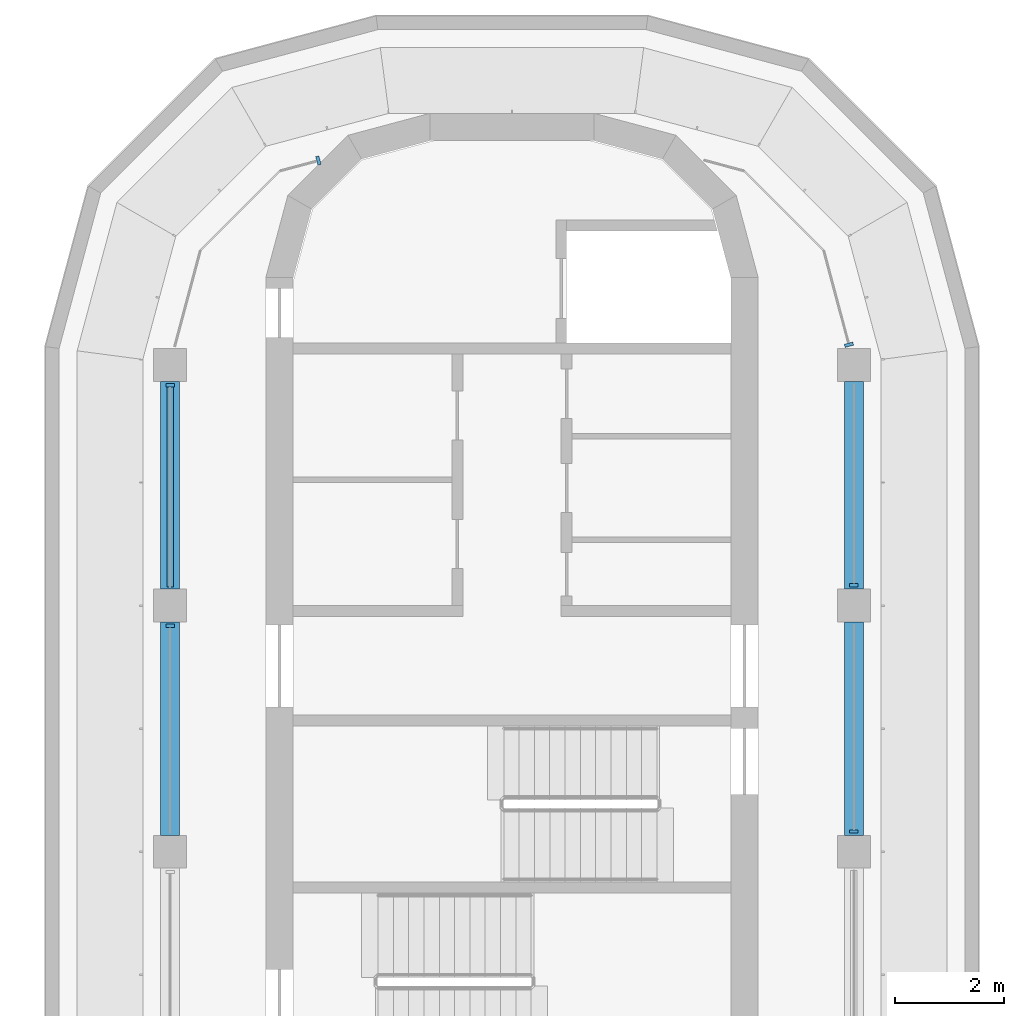
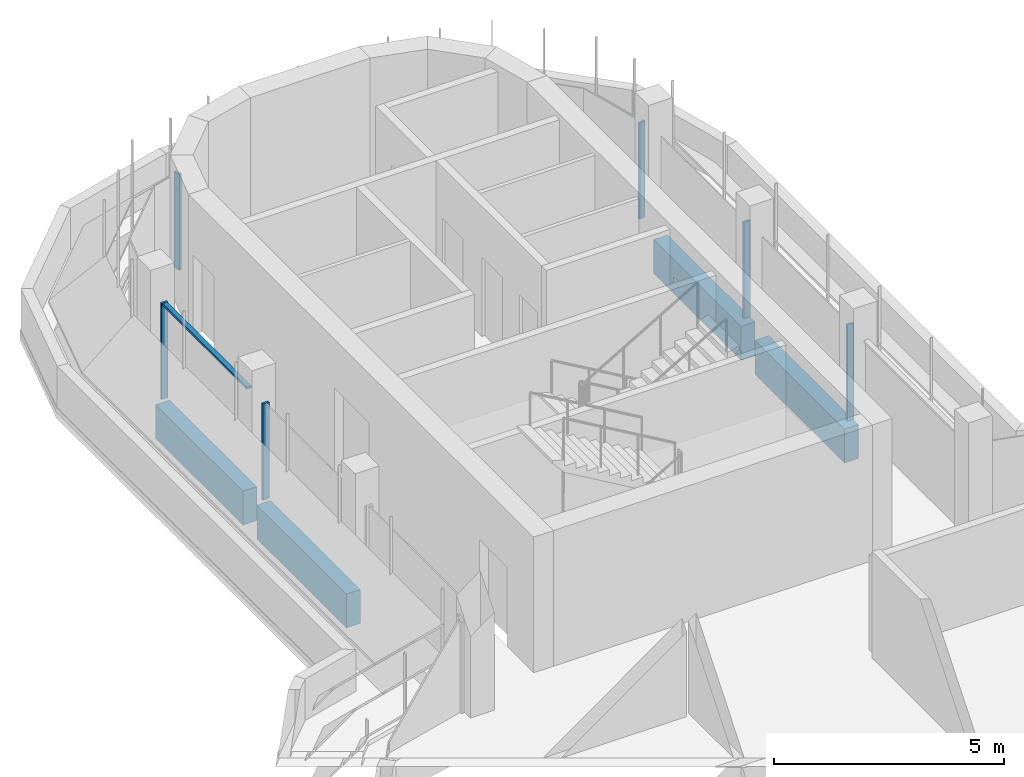
# One storey, part 4 of 13: 7 members, 4 beams, 4 elements without a shape of their own.
"""IFC4 building model written with IfcOpenShell, lengths in metres."""

from ifc_helpers import new_model, si_unit, direction, frame, origin, origin_2d, place, context, subcontext, project, spatial, polyline, rectangle, outline, extrude, source, transform, mapped, material, material_profile, profile_set, type_object, element, aggregate, save


model = new_model("IFC4")

# Units and contexts
model_context = context("Model", 3, precision=1e-05, world=origin(), true_north=direction((0.0, 1.0)))
body_context = subcontext(model_context, "Body", "Model", "MODEL_VIEW")
ifc_project = project(units=[si_unit("LENGTHUNIT", "METRE"), si_unit("AREAUNIT", "SQUARE_METRE"), si_unit("VOLUMEUNIT", "CUBIC_METRE"), si_unit("PLANEANGLEUNIT", "RADIAN"), si_unit("MASSUNIT", "GRAM", prefix="KILO")], contexts=[model_context])

# Site, building, storey
site_placement = place(None, origin())
site = spatial("IfcSite", under=ifc_project, at=site_placement, CompositionType="ELEMENT")
building_placement = place(site_placement, origin())
building = spatial("IfcBuilding", under=site, at=building_placement, Name="Zarbagh Exchange Tower", CompositionType="ELEMENT")
storey_placement = place(building_placement, frame((0.0, 0.0, 302.39990234375)))
storey = spatial("IfcBuildingStorey", under=building, at=storey_placement, Name="L74", CompositionType="ELEMENT", Elevation=302.39990234375)

# Beams
ifc_material_1 = material(Name="Concrete C40/50", Category="concrete")
ifc_material_profile = material_profile(ifc_material_1, rectangle(XDim=0.35009765625, YDim=0.89990234375, at=origin_2d()), Name="RC spandrel beam 350 x 900 C40/50")
ifc_profile_set = profile_set([ifc_material_profile], Name="Concrete C40/50")
beam_type = type_object("IfcBeamType", Name="RC spandrel beam 350 x 900 C40/50", PredefinedType="SPANDREL", material=ifc_profile_set)
beam_1_placement = place(storey_placement, frame((-6.25, 16.050048828125, -0.599853515625), z_axis=(0.0, 1.0, 0.0), x_axis=(-1.0, 0.0, 0.0)))
element("IfcBeam", 1, at=beam_1_placement, inside=storey, type_object=beam_type, Name="RC spandrel beam", PredefinedType="SPANDREL", context=body_context, shape_type="SweptSolid", body=[
    extrude(rectangle(XDim=0.35009765625, YDim=0.89990234375, at=origin_2d()), origin(), (0.0, 0.0, 1.0), 3.89990234375),
])
for number, where, z_axis, x_axis, name in (
    (2, (-6.25, 20.550048828125, -0.599853515625), (0.0, 1.0, 0.0), (-1.0, 0.0, 0.0), "RC spandrel beam"),
    (3, (6.25, 24.35009765625, -0.599853515625), (0.0, -1.0, 0.0), (1.0, 0.0, 0.0), "RC spandrel beam"),
):
    element("IfcBeam", number, at=place(storey_placement, frame(where, z_axis=z_axis, x_axis=x_axis)), inside=storey, type_object=beam_type, Name=name, PredefinedType="SPANDREL", context=body_context, shape_type="SweptSolid", body=[
        extrude(rectangle(XDim=0.35009765625, YDim=0.89990234375, at=origin_2d()), origin(), (0.0, 0.0, 1.0), 3.800048828125),
    ])
beam_2_placement = place(storey_placement, frame((6.25, 19.949951171875, -0.599853515625), z_axis=(0.0, -1.0, 0.0), x_axis=(1.0, 0.0, 0.0)))
element("IfcBeam", 4, at=beam_2_placement, inside=storey, type_object=beam_type, Name="RC spandrel beam", PredefinedType="SPANDREL", context=body_context, shape_type="SweptSolid", body=[
    extrude(rectangle(XDim=0.35009765625, YDim=0.89990234375, at=origin_2d()), origin(), (0.0, 0.0, 1.0), 3.89990234375),
])

# Curtain wall, member
ifc_material_2 = material(Name="Anodised aluminium frame and glazing", Category="aluminium")
curtain_wall_type = type_object("IfcCurtainWallType", Name="CWF Crown tier glazing", PredefinedType="NOTDEFINED", material=ifc_material_2)
curtain_wall_1_placement = place(storey_placement, origin())
curtain_wall_1 = element("IfcCurtainWall", 5, at=curtain_wall_1_placement, inside=storey, type_object=curtain_wall_type, Name="CWF27 curtain wall", PredefinedType="NOTDEFINED")
ifc_material_3 = material(Name="Anodised aluminium frame", Category="aluminium")
member_type_1 = type_object("IfcMemberType", Name="TRF Transom, anodised aluminium frame", PredefinedType="USERDEFINED", material=ifc_material_3)
shared_shape_1 = source(origin(), body_context, "Body", "SweptSolid", [
    extrude(outline(polyline([(-0.06005859375, -0.06005859375), (0.0, -0.06005859375), (0.0, 0.06005859375), (-0.06005859375, 0.06005859375), (-0.06005859375, -0.06005859375)])), origin(), (0.0, 0.0, 1.0), 3.659912109375),
])
placement = place(storey_placement, origin())
member_1 = element("IfcMember", 6, at=placement, type_object=member_type_1, Name="CWF27 transom 1.1", ObjectType="TRANSOM", PredefinedType="USERDEFINED", context=body_context, shape_type="MappedRepresentation", body=[
    mapped(shared_shape_1, transform((-6.25, 24.25, 2.550048828125), x_axis=(0.0, 0.0, 1.0), y_axis=(-1.0, 0.0, 0.0), z_axis=(0.0, -1.0, 0.0))),
])

# Curtain wall, members
curtain_wall_2_placement = place(storey_placement, origin())
curtain_wall_2 = element("IfcCurtainWall", 7, at=curtain_wall_2_placement, inside=storey, type_object=curtain_wall_type, Name="CWF20 curtain wall", PredefinedType="NOTDEFINED")
member_type_2 = type_object("IfcMemberType", Name="MUF Mullion, anodised aluminium frame", PredefinedType="MULLION", material=ifc_material_3)
shared_shape_2 = source(origin(), body_context, "Body", "SweptSolid", [
    extrude(outline(polyline([(0.0, -0.080078125), (0.06005859375, -0.080078125), (0.06005859375, 0.080078125), (0.0, 0.080078125), (0.0, -0.080078125)])), origin(), (0.0, 0.0, 1.0), 2.550048828125),
])
member_2 = element("IfcMember", 8, at=placement, type_object=member_type_2, Name="CWF20 mullion 2.1", PredefinedType="MULLION", context=body_context, shape_type="MappedRepresentation", body=[
    mapped(shared_shape_2, transform((6.25, 16.090087890625, 0.0), x_axis=(0.0, 1.0, 0.0), y_axis=(-1.0, 0.0, 0.0), z_axis=(0.0, 0.0, 1.0))),
])
member_3 = element("IfcMember", 9, at=placement, type_object=member_type_2, Name="CWF20 mullion 3.1", PredefinedType="MULLION", context=body_context, shape_type="MappedRepresentation", body=[
    mapped(shared_shape_2, transform((6.25, 20.590087890625, 0.0), x_axis=(0.0, 1.0, 0.0), y_axis=(-1.0, 0.0, 0.0), z_axis=(0.0, 0.0, 1.0))),
])
aggregate(curtain_wall_2, [member_2, member_3])

# Curtain wall, member
curtain_wall_3_placement = place(storey_placement, origin())
curtain_wall_3 = element("IfcCurtainWall", 10, at=curtain_wall_3_placement, inside=storey, type_object=curtain_wall_type, Name="CWF21 curtain wall", PredefinedType="NOTDEFINED")
member_4 = element("IfcMember", 11, at=placement, type_object=member_type_2, Name="CWF21 mullion 1.1", PredefinedType="MULLION", context=body_context, shape_type="MappedRepresentation", body=[
    mapped(shared_shape_2, transform((6.16796875, 24.989990234375, 0.0), x_axis=(-0.258824779902, 0.965924289636, 0.0), y_axis=(-0.965924289636, -0.258824779902, 0.0), z_axis=(0.0, 0.0, 1.0))),
])
aggregate(curtain_wall_3, [member_4])

curtain_wall_4_placement = place(storey_placement, origin())
curtain_wall_4 = element("IfcCurtainWall", 12, at=curtain_wall_4_placement, inside=storey, type_object=curtain_wall_type, Name="CWF24 curtain wall", PredefinedType="NOTDEFINED")
member_5 = element("IfcMember", 13, at=placement, type_object=member_type_2, Name="CWF24 mullion 1.1", PredefinedType="MULLION", context=body_context, shape_type="MappedRepresentation", body=[
    mapped(shared_shape_2, transform((-3.510009765625, 28.394775390625, 0.0), x_axis=(-0.965924289636, -0.258824779902, 0.0), y_axis=(0.258824779902, -0.965924289636, 0.0), z_axis=(0.0, 0.0, 1.0))),
])
aggregate(curtain_wall_4, [member_5])

# Member
member_6 = element("IfcMember", 14, at=placement, type_object=member_type_2, Name="CWF27 mullion 1.1", PredefinedType="MULLION", context=body_context, shape_type="MappedRepresentation", body=[
    mapped(shared_shape_2, transform((-6.25, 24.31005859375, 0.0), x_axis=(0.0, -1.0, 0.0), y_axis=(1.0, 0.0, 0.0), z_axis=(0.0, 0.0, 1.0))),
])

member_7 = element("IfcMember", 15, at=placement, type_object=member_type_2, Name="CWF27 mullion 2.1", PredefinedType="MULLION", context=body_context, shape_type="MappedRepresentation", body=[
    mapped(shared_shape_2, transform((-6.25, 19.909912109375, 0.0), x_axis=(0.0, -1.0, 0.0), y_axis=(1.0, 0.0, 0.0), z_axis=(0.0, 0.0, 1.0))),
])

aggregate(curtain_wall_1, [member_6, member_1, member_7])

save(model, "model.ifc")
